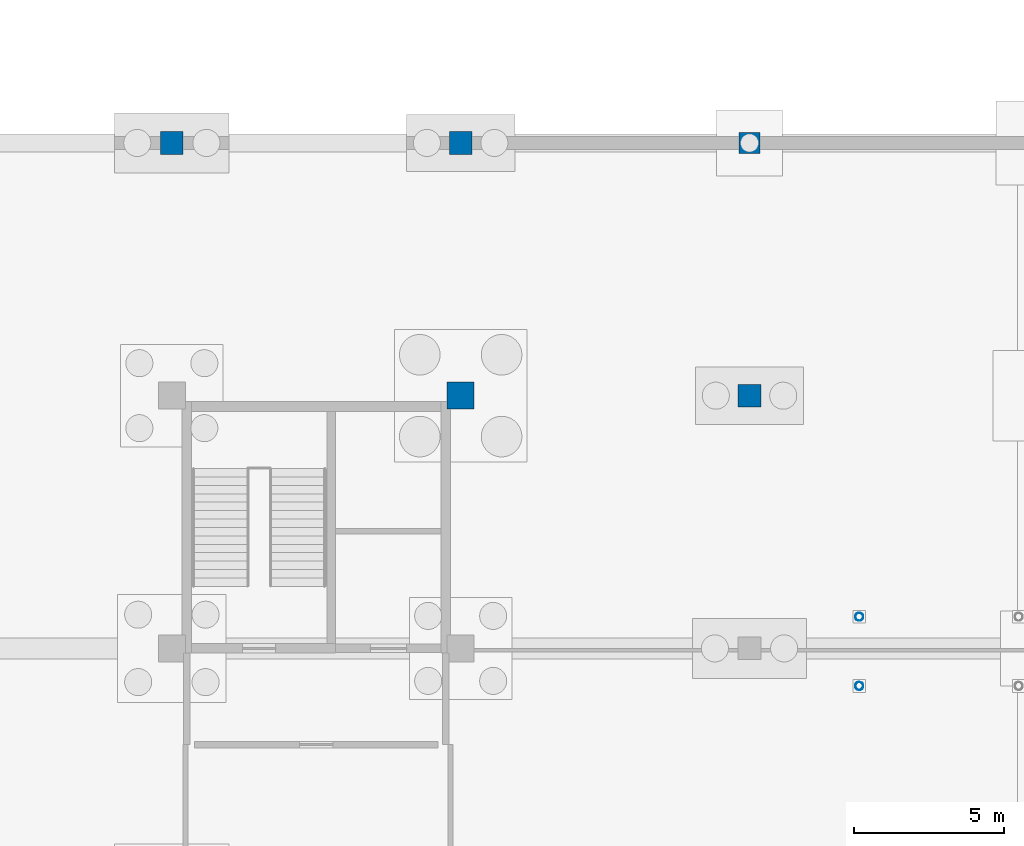
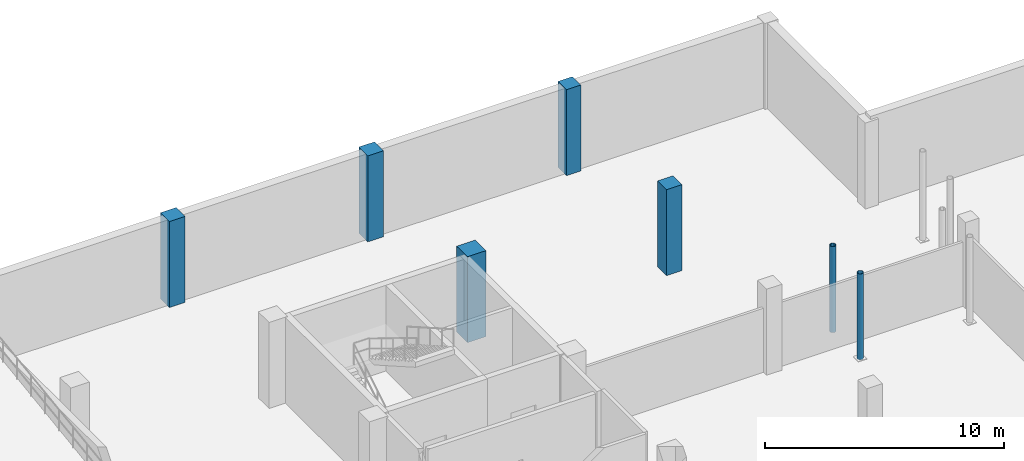
# One storey, part 13 of 26: 7 columns.
"""IFC4 building model written with IfcOpenShell, lengths in metres."""

from ifc_helpers import new_model, si_unit, direction, frame, origin, origin_2d, place, context, subcontext, project, spatial, rectangle, hollow_circle, extrude, material, material_profile, profile_set, type_object, element, save


model = new_model("IFC4")

# Units and contexts
model_context = context("Model", 3, precision=1e-05, world=origin(), true_north=direction((0.0, 1.0)))
body_context = subcontext(model_context, "Body", "Model", "MODEL_VIEW")
ifc_project = project(units=[si_unit("LENGTHUNIT", "METRE"), si_unit("AREAUNIT", "SQUARE_METRE"), si_unit("VOLUMEUNIT", "CUBIC_METRE"), si_unit("PLANEANGLEUNIT", "RADIAN"), si_unit("MASSUNIT", "GRAM", prefix="KILO")], contexts=[model_context])

# Site, building, storey
site_placement = place(None, origin())
site = spatial("IfcSite", under=ifc_project, at=site_placement, CompositionType="ELEMENT")
building_placement = place(site_placement, origin())
building = spatial("IfcBuilding", under=site, at=building_placement, Name="Lornevale Opera House", CompositionType="ELEMENT")
storey_placement = place(building_placement, frame((0.0, 0.0, -9.60009765625)))
storey = spatial("IfcBuildingStorey", under=building, at=storey_placement, Name="B2", CompositionType="ELEMENT", Elevation=-9.60009765625)

# Columns
ifc_material_1 = material(Name="Concrete 40 MPa (CSA A23.1 C-1)", Category="concrete")
ifc_material_profile_1 = material_profile(ifc_material_1, rectangle(XDim=0.699951171875, YDim=0.699951171875, at=origin_2d()), Name="RC700x700")
ifc_profile_set_1 = profile_set([ifc_material_profile_1], Name="Concrete 40 MPa (CSA A23.1 C-1)")
column_type_1 = type_object("IfcColumnType", Name="Concrete Column 700x700", PredefinedType="COLUMN", material=ifc_profile_set_1)
column_1_placement = place(storey_placement, frame((153.60009765625, 84.0, 0.0), z_axis=(0.0, 0.0, 1.0), x_axis=(1.0, 0.0, 0.0)))
element("IfcColumn", 1, at=column_1_placement, inside=storey, type_object=column_type_1, Name="Concrete Column 700x700 1072", PredefinedType="COLUMN", context=body_context, shape_type="SweptSolid", body=[
    extrude(rectangle(XDim=0.699951171875, YDim=0.699951171875, at=origin_2d()), origin(), (0.0, 0.0, 1.0), 4.400146484375),
])
ifc_material_profile_2 = material_profile(ifc_material_1, rectangle(XDim=0.75, YDim=0.75, at=origin_2d()), Name="RC750x750")
ifc_profile_set_2 = profile_set([ifc_material_profile_2], Name="Concrete 40 MPa (CSA A23.1 C-1)")
column_type_2 = type_object("IfcColumnType", Name="Concrete Column 750x750", PredefinedType="COLUMN", material=ifc_profile_set_2)
for number, where, z_axis, x_axis, name in (
    (2, (134.39990234375, 84.0, 0.0), (0.0, 0.0, 1.0), (1.0, 0.0, 0.0), "Concrete Column 750x750 0970"),
    (3, (144.0, 84.0, 0.0), (0.0, 0.0, 1.0), (1.0, 0.0, 0.0), "Concrete Column 750x750 1033"),
    (4, (153.60009765625, 75.60009765625, 0.0), (0.0, 0.0, 1.0), (1.0, 0.0, 0.0), "Concrete Column 750x750 1068"),
):
    element("IfcColumn", number, at=place(storey_placement, frame(where, z_axis=z_axis, x_axis=x_axis)), inside=storey, type_object=column_type_2, Name=name, PredefinedType="COLUMN", context=body_context, shape_type="SweptSolid", body=[
        extrude(rectangle(XDim=0.75, YDim=0.75, at=origin_2d()), origin(), (0.0, 0.0, 1.0), 4.400146484375),
    ])
ifc_material_profile_3 = material_profile(ifc_material_1, rectangle(XDim=0.89990234375, YDim=0.89990234375, at=origin_2d()), Name="RC900x900")
ifc_profile_set_3 = profile_set([ifc_material_profile_3], Name="Concrete 40 MPa (CSA A23.1 C-1)")
column_type_3 = type_object("IfcColumnType", Name="Concrete Column 900x900", PredefinedType="COLUMN", material=ifc_profile_set_3)
column_2_placement = place(storey_placement, frame((144.0, 75.60009765625, 0.0), z_axis=(0.0, 0.0, 1.0), x_axis=(1.0, 0.0, 0.0)))
element("IfcColumn", 5, at=column_2_placement, inside=storey, type_object=column_type_3, Name="Concrete Column 900x900 1025", PredefinedType="COLUMN", context=body_context, shape_type="SweptSolid", body=[
    extrude(rectangle(XDim=0.89990234375, YDim=0.89990234375, at=origin_2d()), origin(), (0.0, 0.0, 1.0), 4.400146484375),
])
ifc_material_2 = material(Name="Structural Steel CSA G40.21 Grade 350W (350 MPa)", Category="steel")
ifc_material_profile_4 = material_profile(ifc_material_2, hollow_circle(Radius=0.136474609375, WallThickness=0.010986328125, at=origin_2d()), Name="HSS273x11")
ifc_profile_set_4 = profile_set([ifc_material_profile_4], Name="Structural Steel CSA G40.21 Grade 350W (350 MPa)")
column_type_4 = type_object("IfcColumnType", Name="Promenade Ramp Mast HSS273x11", PredefinedType="COLUMN", material=ifc_profile_set_4)
for number, where, z_axis, x_axis, name in (
    (6, (157.25, 65.949951171875, 0.0), (0.0, 0.0, 1.0), (1.0, 0.0, 0.0), "Parterre Ramp Mast B2 1138"),
    (7, (157.25, 68.25, 0.0), (0.0, 0.0, 1.0), (1.0, 0.0, 0.0), "Parterre Ramp Mast B2 1141"),
):
    element("IfcColumn", number, at=place(storey_placement, frame(where, z_axis=z_axis, x_axis=x_axis)), inside=storey, type_object=column_type_4, Name=name, PredefinedType="COLUMN", context=body_context, shape_type="SweptSolid", body=[
        extrude(hollow_circle(Radius=0.136474609375, WallThickness=0.010986328125, at=origin_2d()), origin(), (0.0, 0.0, 1.0), 4.400146484375),
    ])

save(model, "model.ifc")
